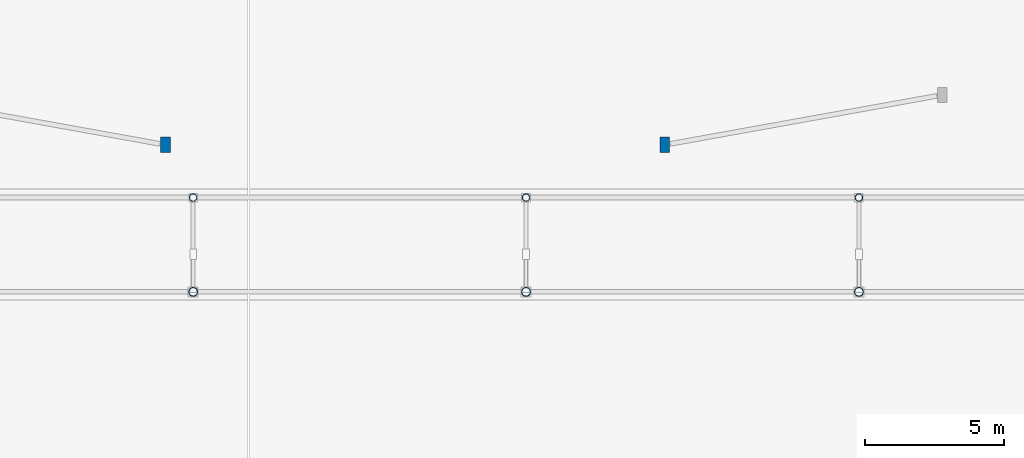
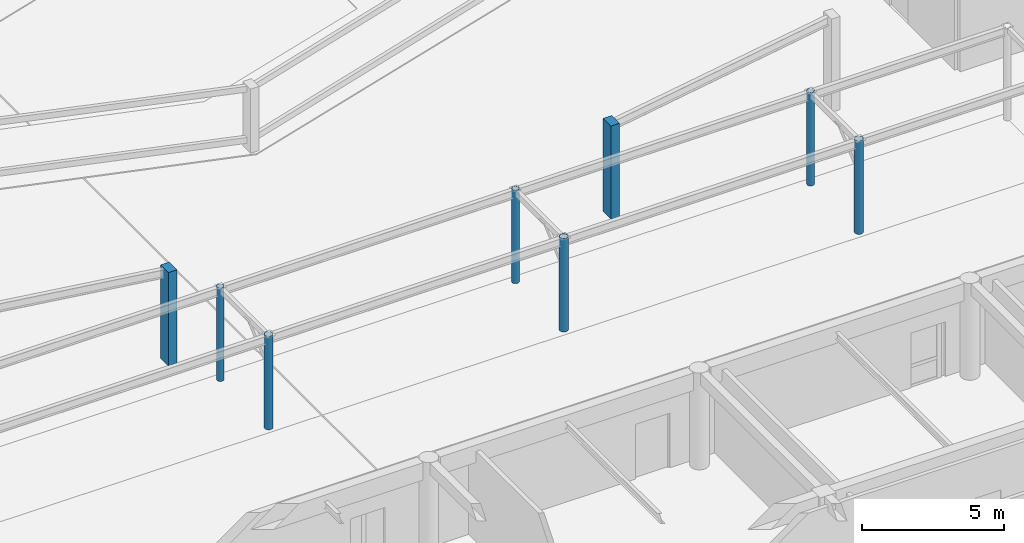
# One storey, part 11 of 114: 8 columns.
"""IFC4 building model written with IfcOpenShell, lengths in metres."""

from ifc_helpers import new_model, si_unit, direction, frame, origin, origin_2d, place, context, subcontext, project, spatial, rectangle, hollow_circle, extrude, material, material_profile, profile_set, type_object, element, save


model = new_model("IFC4")

# Units and contexts
model_context = context("Model", 3, precision=1e-05, world=origin(), true_north=direction((0.0, 1.0)))
body_context = subcontext(model_context, "Body", "Model", "MODEL_VIEW")
ifc_project = project(units=[si_unit("LENGTHUNIT", "METRE"), si_unit("AREAUNIT", "SQUARE_METRE"), si_unit("VOLUMEUNIT", "CUBIC_METRE"), si_unit("PLANEANGLEUNIT", "RADIAN"), si_unit("MASSUNIT", "GRAM", prefix="KILO")], contexts=[model_context])

# Site, building, storey
site_placement = place(None, origin())
site = spatial("IfcSite", under=ifc_project, at=site_placement, CompositionType="ELEMENT")
building_placement = place(site_placement, origin())
building = spatial("IfcBuilding", under=site, at=building_placement, Name="Keldmere Railside Commons", CompositionType="ELEMENT")
storey_placement = place(building_placement, origin())
storey = spatial("IfcBuildingStorey", under=building, at=storey_placement, Name="L00", CompositionType="ELEMENT", Elevation=0.0)

# Columns
ifc_material_1 = material(Name="Steel F-36 (S355)", Category="steel")
ifc_material_profile_1 = material_profile(ifc_material_1, hollow_circle(Radius=0.162109375, WallThickness=0.011962890625, at=origin_2d()), Name="CHS-324x12")
ifc_profile_set_1 = profile_set([ifc_material_profile_1], Name="Steel F-36 (S355)")
column_type_1 = type_object("IfcColumnType", Name="Colonnade Gallery Steel Column CHS324", PredefinedType="COLUMN", material=ifc_profile_set_1)
for number, where, z_axis, x_axis, name in (
    (1, (136.0, 49.10009765625, 0.0), (0.0, 0.0, 1.0), (1.0, 0.0, 0.0), "SC-1 COL-L00-1321"),
    (2, (148.0, 49.10009765625, 0.0), (0.0, 0.0, 1.0), (1.0, 0.0, 0.0), "SC-1 COL-L00-1417"),
    (3, (160.0, 49.10009765625, 0.0), (0.0, 0.0, 1.0), (1.0, 0.0, 0.0), "SC-1 COL-L00-1474"),
):
    element("IfcColumn", number, at=place(storey_placement, frame(where, z_axis=z_axis, x_axis=x_axis)), inside=storey, type_object=column_type_1, Name=name, PredefinedType="COLUMN", context=body_context, shape_type="SweptSolid", body=[
        extrude(hollow_circle(Radius=0.162109375, WallThickness=0.011962890625, at=origin_2d()), origin(), (0.0, 0.0, 1.0), 4.010009765625),
    ])
ifc_material_profile_2 = material_profile(ifc_material_1, hollow_circle(Radius=0.136474609375, WallThickness=0.010009765625, at=origin_2d()), Name="CHS-273x10")
ifc_profile_set_2 = profile_set([ifc_material_profile_2], Name="Steel F-36 (S355)")
column_type_2 = type_object("IfcColumnType", Name="Entrance Canopy Steel Column CHS273", PredefinedType="COLUMN", material=ifc_profile_set_2)
for number, where, z_axis, x_axis, name in (
    (4, (136.0, 52.5, 0.0), (0.0, 0.0, 1.0), (1.0, 0.0, 0.0), "SC-2 COL-L00-1323"),
    (5, (148.0, 52.5, 0.0), (0.0, 0.0, 1.0), (1.0, 0.0, 0.0), "SC-2 COL-L00-1419"),
    (6, (160.0, 52.5, 0.0), (0.0, 0.0, 1.0), (1.0, 0.0, 0.0), "SC-2 COL-L00-1476"),
):
    element("IfcColumn", number, at=place(storey_placement, frame(where, z_axis=z_axis, x_axis=x_axis)), inside=storey, type_object=column_type_2, Name=name, PredefinedType="COLUMN", context=body_context, shape_type="SweptSolid", body=[
        extrude(hollow_circle(Radius=0.136474609375, WallThickness=0.010009765625, at=origin_2d()), origin(), (0.0, 0.0, 1.0), 4.010009765625),
    ])
ifc_material_2 = material(Name="Architectural Precast Concrete H-35 (C35/45)", Category="concrete")
ifc_material_profile_3 = material_profile(ifc_material_2, rectangle(XDim=0.35009765625, YDim=0.550048828125, at=origin_2d()), Name="RC-350x550")
ifc_profile_set_3 = profile_set([ifc_material_profile_3], Name="Architectural Precast Concrete H-35 (C35/45)")
column_type_3 = type_object("IfcColumnType", Name="Facade Precast Pilaster Column 350x550", PredefinedType="PILASTER", material=ifc_profile_set_3)
for number, where, z_axis, x_axis, name in (
    (7, (135.0, 54.39990234375, 0.0), (0.0, 0.0, 1.0), (1.0, 0.0, 0.0), "C-PIL COL-L00-1319"),
    (8, (153.0, 54.39990234375, 0.0), (0.0, 0.0, 1.0), (1.0, 0.0, 0.0), "C-PIL COL-L00-1421"),
):
    element("IfcColumn", number, at=place(storey_placement, frame(where, z_axis=z_axis, x_axis=x_axis)), inside=storey, type_object=column_type_3, Name=name, PredefinedType="PILASTER", context=body_context, shape_type="SweptSolid", body=[
        extrude(rectangle(XDim=0.35009765625, YDim=0.550048828125, at=origin_2d()), origin(), (0.0, 0.0, 1.0), 4.010009765625),
    ])

save(model, "model.ifc")
